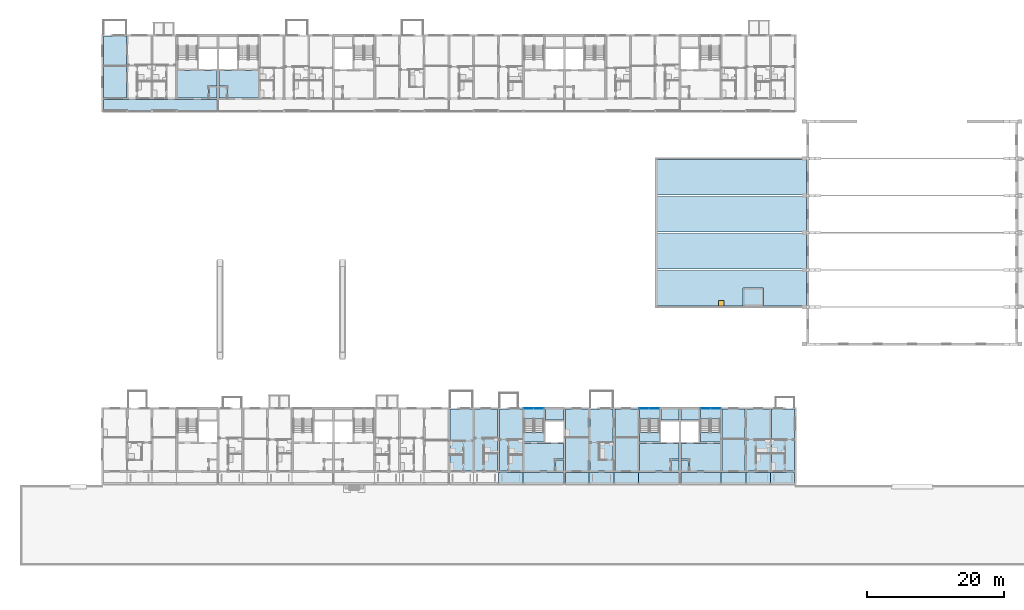
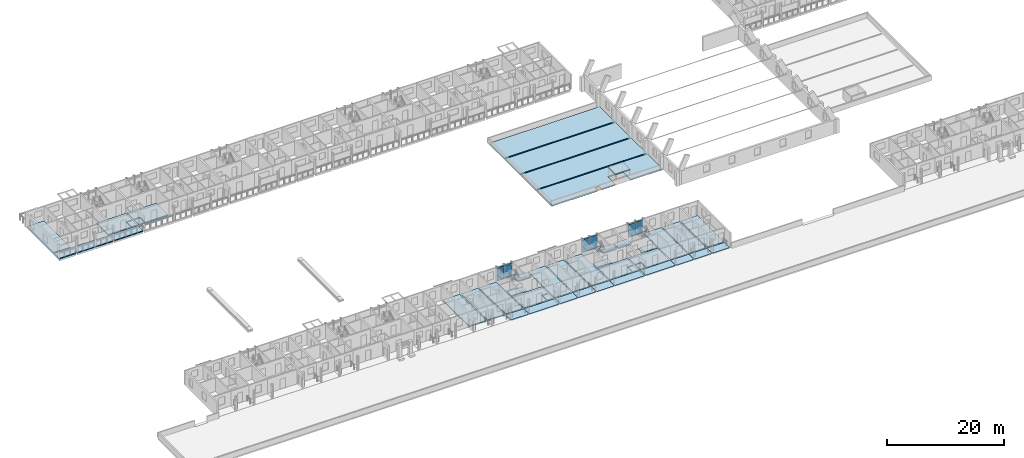
# One storey, part 32 of 115: 45 slabs, 12 plates, 1 door, 1 opening, 6 elements without a shape of their own.
"""IFC4 building model written with IfcOpenShell, lengths in metres."""

from ifc_helpers import new_model, si_unit, direction, frame, origin, origin_2d, place, context, subcontext, project, spatial, polyline, rectangle, outline, extrude, material, layer, layer_set, type_object, element, fill, aggregate, save


model = new_model("IFC4")

# Units and contexts
model_context = context("Model", 3, precision=1e-05, world=origin(), true_north=direction((0.0, 1.0)))
body_context = subcontext(model_context, "Body", "Model", "MODEL_VIEW")
ifc_project = project(units=[si_unit("LENGTHUNIT", "METRE"), si_unit("AREAUNIT", "SQUARE_METRE"), si_unit("VOLUMEUNIT", "CUBIC_METRE"), si_unit("PLANEANGLEUNIT", "RADIAN"), si_unit("MASSUNIT", "GRAM", prefix="KILO")], contexts=[model_context])

# Site, building, storey
site_placement = place(None, origin())
site = spatial("IfcSite", under=ifc_project, at=site_placement, CompositionType="ELEMENT")
building_placement = place(site_placement, origin())
building = spatial("IfcBuilding", under=site, at=building_placement, Name="Ridgestep Commons", CompositionType="ELEMENT")
storey_placement = place(building_placement, frame((0.0, 0.0, 6.0)))
storey = spatial("IfcBuildingStorey", under=building, at=storey_placement, Name="L02", CompositionType="ELEMENT", Elevation=6.0)

# Slab, opening, door
ifc_material_1 = material(Name="Precast concrete C50/60", Category="concrete")
ifc_layer_1 = layer(ifc_material_1, 0.25)
ifc_layer_set_1 = layer_set([ifc_layer_1], Name="Annex roof slab 250")
slab_type_1 = type_object("IfcSlabType", Name="Annex roof slab 250", PredefinedType="ROOF", material=ifc_layer_set_1)
slab_1_placement = place(storey_placement, frame((0.0, 0.0, -0.25)))
slab_1 = element("IfcSlab", 1, at=slab_1_placement, inside=storey, type_object=slab_type_1, Name="Annex roof slab 250", PredefinedType="ROOF", context=body_context, shape_type="SweptSolid", body=[
    extrude(outline(polyline([(92.699951171875, 37.75), (92.699951171875, 42.875), (114.39990234375, 42.875), (114.39990234375, 37.75), (108.14990234375, 37.75), (108.14990234375, 40.35009765625), (105.199951171875, 40.35009765625), (105.199951171875, 37.75), (92.699951171875, 37.75)])), origin(), (0.0, 0.0, 1.0), 0.25),
])
opening_placement = place(slab_1_placement, frame((102.050048828125, 38.14990234375, 0.0)))
opening = element("IfcOpeningElement", 2, at=opening_placement, cuts=slab_1, Name="Opening KRH1", PredefinedType="OPENING", context=body_context, shape_type="SweptSolid", body=[
    extrude(rectangle(XDim=0.800048828125, YDim=0.800048828125, at=origin_2d()), origin(), (0.0, 0.0, 1.0), 0.25),
])
ifc_material_2 = material(Name="Steel", Category="steel")
door_type = type_object("IfcDoorType", Name="Annex roof hatch 800 x 800", OperationType="SINGLE_SWING_LEFT", PredefinedType="TRAPDOOR", material=ifc_material_2)
door_placement = place(opening_placement, frame((0.0, 0.0, 0.199951171875)))
door = element("IfcDoor", 3, at=door_placement, inside=storey, type_object=door_type, Name="Roof access hatch", OperationType="SINGLE_SWING_LEFT", OverallHeight=0.800048828125, OverallWidth=0.800048828125, PredefinedType="TRAPDOOR", context=body_context, shape_type="SweptSolid", body=[
    extrude(rectangle(XDim=0.800048828125, YDim=0.800048828125, at=origin_2d()), origin(), (0.0, 0.0, 1.0), 0.050048828125),
])
fill(opening, door)

# Slabs
slab_2_placement = place(storey_placement, frame((0.0, 0.0, -0.25)))
element("IfcSlab", 4, at=slab_2_placement, inside=storey, type_object=slab_type_1, Name="Annex roof slab 250", PredefinedType="ROOF", context=body_context, shape_type="SweptSolid", body=[
    extrude(outline(polyline([(92.699951171875, 43.125), (114.39990234375, 43.125), (114.39990234375, 48.27490234375), (92.699951171875, 48.27490234375), (92.699951171875, 43.125)])), origin(), (0.0, 0.0, 1.0), 0.25),
])
slab_3_placement = place(storey_placement, frame((0.0, 0.0, -0.25)))
element("IfcSlab", 5, at=slab_3_placement, inside=storey, type_object=slab_type_1, Name="Annex roof slab 250", PredefinedType="ROOF", context=body_context, shape_type="SweptSolid", body=[
    extrude(outline(polyline([(92.699951171875, 48.52490234375), (114.39990234375, 48.52490234375), (114.39990234375, 53.675048828125), (92.699951171875, 53.675048828125), (92.699951171875, 48.52490234375)])), origin(), (0.0, 0.0, 1.0), 0.25),
])
slab_4_placement = place(storey_placement, frame((0.0, 0.0, -0.25)))
element("IfcSlab", 6, at=slab_4_placement, inside=storey, type_object=slab_type_1, Name="Annex roof slab 250", PredefinedType="ROOF", context=body_context, shape_type="SweptSolid", body=[
    extrude(outline(polyline([(92.699951171875, 53.925048828125), (114.39990234375, 53.925048828125), (114.39990234375, 59.050048828125), (92.699951171875, 59.050048828125), (92.699951171875, 53.925048828125)])), origin(), (0.0, 0.0, 1.0), 0.25),
])
ifc_material_3 = material(Name="Concrete C30/37", Category="concrete")
ifc_layer_2 = layer(ifc_material_3, 0.199951171875)
ifc_layer_set_2 = layer_set([ifc_layer_2], Name="Community lift overrun slab 200")
slab_type_2 = type_object("IfcSlabType", Name="Community lift overrun slab 200", PredefinedType="ROOF", material=ifc_layer_set_2)
slab_5_placement = place(storey_placement, frame((0.0, 0.0, 1.89990234375)))
element("IfcSlab", 7, at=slab_5_placement, inside=storey, type_object=slab_type_2, Name="Community lift overrun slab 200", PredefinedType="ROOF", context=body_context, shape_type="SweptSolid", body=[
    extrude(outline(polyline([(105.199951171875, 37.75), (108.14990234375, 37.75), (108.14990234375, 40.35009765625), (105.199951171875, 40.35009765625), (105.199951171875, 37.75)])), origin(), (0.0, 0.0, 1.0), 0.2001953125),
])
ifc_material_4 = material(Name="Precast concrete C40/50", Category="concrete")
ifc_layer_3 = layer(ifc_material_4, 0.199951171875)
ifc_layer_set_3 = layer_set([ifc_layer_3], Name="Gallery slab 200")
slab_type_3 = type_object("IfcSlabType", Name="Gallery slab 200", PredefinedType="FLOOR", material=ifc_layer_set_3)
slab_6_placement = place(storey_placement, frame((0.0, 0.0, -0.199951171875)))
element("IfcSlab", 8, at=slab_6_placement, inside=storey, type_object=slab_type_3, Name="Gallery slab A4 L02", PredefinedType="FLOOR", context=body_context, shape_type="SweptSolid", body=[
    extrude(outline(polyline([(73.199951171875, 13.550048828125), (69.60009765625, 13.550048828125), (69.60009765625, 12.0), (69.72509765625, 12.0), (69.72509765625, 11.75), (73.074951171875, 11.75), (73.074951171875, 12.0), (73.199951171875, 12.0), (73.199951171875, 13.550048828125)])), origin(), (0.0, 0.0, 1.0), 0.199951171875),
])
slab_7_placement = place(storey_placement, frame((0.0, 0.0, -0.199951171875)))
element("IfcSlab", 9, at=slab_7_placement, inside=storey, type_object=slab_type_3, Name="Gallery slab A4 L02", PredefinedType="FLOOR", context=body_context, shape_type="SweptSolid", body=[
    extrude(outline(polyline([(73.199951171875, 13.550048828125), (73.199951171875, 12.0), (73.324951171875, 12.0), (73.324951171875, 11.75), (79.050048828125, 11.75), (79.050048828125, 13.550048828125), (73.199951171875, 13.550048828125)])), origin(), (0.0, 0.0, 1.0), 0.199951171875),
])
slab_8_placement = place(storey_placement, frame((0.0, 0.0, -0.199951171875)))
element("IfcSlab", 10, at=slab_8_placement, inside=storey, type_object=slab_type_3, Name="Gallery slab A5 L02", PredefinedType="FLOOR", context=body_context, shape_type="SweptSolid", body=[
    extrude(outline(polyline([(79.35009765625, 11.75), (82.675048828125, 11.75), (82.675048828125, 12.0), (82.800048828125, 12.0), (82.800048828125, 13.550048828125), (79.35009765625, 13.550048828125), (79.35009765625, 11.75)])), origin(), (0.0, 0.0, 1.0), 0.199951171875),
])
slab_9_placement = place(storey_placement, frame((0.0, 0.0, -0.199951171875)))
element("IfcSlab", 11, at=slab_9_placement, inside=storey, type_object=slab_type_3, Name="Gallery slab A5 L02", PredefinedType="FLOOR", context=body_context, shape_type="SweptSolid", body=[
    extrude(outline(polyline([(86.39990234375, 13.550048828125), (82.800048828125, 13.550048828125), (82.800048828125, 12.0), (82.925048828125, 12.0), (82.925048828125, 11.75), (86.27490234375, 11.75), (86.27490234375, 12.0), (86.39990234375, 12.0), (86.39990234375, 13.550048828125)])), origin(), (0.0, 0.0, 1.0), 0.199951171875),
])
slab_10_placement = place(storey_placement, frame((0.0, 0.0, -0.199951171875)))
element("IfcSlab", 12, at=slab_10_placement, inside=storey, type_object=slab_type_3, Name="Gallery slab A5 L02", PredefinedType="FLOOR", context=body_context, shape_type="SweptSolid", body=[
    extrude(outline(polyline([(90.0, 13.550048828125), (86.39990234375, 13.550048828125), (86.39990234375, 12.0), (86.52490234375, 12.0), (86.52490234375, 11.75), (89.875, 11.75), (89.875, 12.0), (90.0, 12.0), (90.0, 13.550048828125)])), origin(), (0.0, 0.0, 1.0), 0.199951171875),
])
slab_11_placement = place(storey_placement, frame((0.0, 0.0, -0.199951171875)))
element("IfcSlab", 13, at=slab_11_placement, inside=storey, type_object=slab_type_3, Name="Gallery slab A5 L02", PredefinedType="FLOOR", context=body_context, shape_type="SweptSolid", body=[
    extrude(outline(polyline([(90.0, 13.550048828125), (90.0, 12.0), (90.125, 12.0), (90.125, 11.75), (95.85009765625, 11.75), (95.85009765625, 13.550048828125), (90.0, 13.550048828125)])), origin(), (0.0, 0.0, 1.0), 0.199951171875),
])
slab_12_placement = place(storey_placement, frame((0.0, 0.0, -0.199951171875)))
element("IfcSlab", 14, at=slab_12_placement, inside=storey, type_object=slab_type_3, Name="Gallery slab A6 L02", PredefinedType="FLOOR", context=body_context, shape_type="SweptSolid", body=[
    extrude(outline(polyline([(96.14990234375, 11.75), (101.875, 11.75), (101.875, 12.0), (102.0, 12.0), (102.0, 13.550048828125), (96.14990234375, 13.550048828125), (96.14990234375, 11.75)])), origin(), (0.0, 0.0, 1.0), 0.199951171875),
])
slab_13_placement = place(storey_placement, frame((0.0, 0.0, -0.199951171875)))
element("IfcSlab", 15, at=slab_13_placement, inside=storey, type_object=slab_type_3, Name="Gallery slab A6 L02", PredefinedType="FLOOR", context=body_context, shape_type="SweptSolid", body=[
    extrude(outline(polyline([(105.60009765625, 13.550048828125), (102.0, 13.550048828125), (102.0, 12.0), (102.125, 12.0), (102.125, 11.75), (105.47509765625, 11.75), (105.47509765625, 12.0), (105.60009765625, 12.0), (105.60009765625, 13.550048828125)])), origin(), (0.0, 0.0, 1.0), 0.199951171875),
])
slab_14_placement = place(storey_placement, frame((0.0, 0.0, -0.199951171875)))
element("IfcSlab", 16, at=slab_14_placement, inside=storey, type_object=slab_type_3, Name="Gallery slab A6 L02", PredefinedType="FLOOR", context=body_context, shape_type="SweptSolid", body=[
    extrude(outline(polyline([(109.199951171875, 13.550048828125), (105.60009765625, 13.550048828125), (105.60009765625, 12.0), (105.72509765625, 12.0), (105.72509765625, 11.75), (109.074951171875, 11.75), (109.074951171875, 12.0), (109.199951171875, 12.0), (109.199951171875, 13.550048828125)])), origin(), (0.0, 0.0, 1.0), 0.199951171875),
])
slab_15_placement = place(storey_placement, frame((0.0, 0.0, -0.199951171875)))
element("IfcSlab", 17, at=slab_15_placement, inside=storey, type_object=slab_type_3, Name="Gallery slab A6 L02", PredefinedType="FLOOR", context=body_context, shape_type="SweptSolid", body=[
    extrude(outline(polyline([(109.199951171875, 13.550048828125), (109.199951171875, 12.0), (109.324951171875, 12.0), (109.324951171875, 11.75), (112.64990234375, 11.75), (112.64990234375, 13.550048828125), (109.199951171875, 13.550048828125)])), origin(), (0.0, 0.0, 1.0), 0.199951171875),
])
slab_16_placement = place(storey_placement, frame((0.0, 0.0, -0.199951171875)))
element("IfcSlab", 18, at=slab_16_placement, inside=storey, type_object=slab_type_3, Name="Gallery slab B1 L02", PredefinedType="FLOOR", context=body_context, shape_type="SweptSolid", body=[
    extrude(outline(polyline([(28.64990234375, 67.800048828125), (12.14990234375, 67.800048828125), (12.14990234375, 66.0), (15.47509765625, 66.0), (15.47509765625, 66.25), (15.72509765625, 66.25), (15.72509765625, 66.0), (19.074951171875, 66.0), (19.074951171875, 66.25), (19.324951171875, 66.25), (19.324951171875, 66.0), (22.675048828125, 66.0), (22.675048828125, 66.25), (22.925048828125, 66.25), (22.925048828125, 66.0), (28.64990234375, 66.0), (28.64990234375, 67.800048828125)])), origin(), (0.0, 0.0, 1.0), 0.199951171875),
])

# Curtain wall, plates
ifc_material_5 = material(Name="Aluminium 6063-T6 and glass", Category="aluminium")
curtain_wall_type = type_object("IfcCurtainWallType", Name="Curtain wall stair strip", PredefinedType="NOTDEFINED", material=ifc_material_5)
curtain_wall_1_placement = place(storey_placement, origin())
curtain_wall_1 = element("IfcCurtainWall", 19, at=curtain_wall_1_placement, inside=storey, type_object=curtain_wall_type, Name="Curtain wall A4C level 02", PredefinedType="NOTDEFINED")
ifc_material_6 = material(Name="Glass laminated 6/16/6 low-emissivity", Category="glass")
ifc_layer_4 = layer(ifc_material_6, 0.028076171875)
ifc_layer_set_4 = layer_set([ifc_layer_4], Name="Glazing panel 28")
plate_type_1 = type_object("IfcPlateType", Name="Glazing panel 28", PredefinedType="CURTAIN_PANEL", material=ifc_layer_set_4)
plate_1_placement = place(storey_placement, frame((73.97119140625, 22.830078125, 0.06005859375), z_axis=(0.0, 0.0, 1.0), x_axis=(1.0, 0.0, 0.0)))
plate_1 = element("IfcPlate", 20, at=plate_1_placement, type_object=plate_type_1, Name="CW1 panel 1.1", PredefinedType="CURTAIN_PANEL", context=body_context, shape_type="SweptSolid", body=[
    extrude(rectangle(XDim=1.422607421875, YDim=0.028076171875, at=origin_2d()), origin(), (0.0, 0.0, 1.0), 2.5),
])
plate_2_placement = place(storey_placement, frame((75.453857421875, 22.830078125, 0.06005859375), z_axis=(0.0, 0.0, 1.0), x_axis=(1.0, 0.0, 0.0)))
plate_2 = element("IfcPlate", 21, at=plate_2_placement, type_object=plate_type_1, Name="CW1 panel 2.1", PredefinedType="CURTAIN_PANEL", context=body_context, shape_type="SweptSolid", body=[
    extrude(rectangle(XDim=1.422607421875, YDim=0.028076171875, at=origin_2d()), origin(), (0.0, 0.0, 1.0), 2.5),
])

curtain_wall_2_placement = place(storey_placement, origin())
curtain_wall_2 = element("IfcCurtainWall", 22, at=curtain_wall_2_placement, inside=storey, type_object=curtain_wall_type, Name="Curtain wall A5C level 02", PredefinedType="NOTDEFINED")
plate_3_placement = place(storey_placement, frame((90.771240234375, 22.830078125, 0.06005859375), z_axis=(0.0, 0.0, 1.0), x_axis=(1.0, 0.0, 0.0)))
plate_3 = element("IfcPlate", 23, at=plate_3_placement, type_object=plate_type_1, Name="CW1 panel 1.1", PredefinedType="CURTAIN_PANEL", context=body_context, shape_type="SweptSolid", body=[
    extrude(rectangle(XDim=1.422607421875, YDim=0.028076171875, at=origin_2d()), origin(), (0.0, 0.0, 1.0), 2.5),
])
plate_4_placement = place(storey_placement, frame((92.253662109375, 22.830078125, 0.06005859375), z_axis=(0.0, 0.0, 1.0), x_axis=(1.0, 0.0, 0.0)))
plate_4 = element("IfcPlate", 24, at=plate_4_placement, type_object=plate_type_1, Name="CW1 panel 2.1", PredefinedType="CURTAIN_PANEL", context=body_context, shape_type="SweptSolid", body=[
    extrude(rectangle(XDim=1.422607421875, YDim=0.028076171875, at=origin_2d()), origin(), (0.0, 0.0, 1.0), 2.5),
])

curtain_wall_3_placement = place(storey_placement, origin())
curtain_wall_3 = element("IfcCurtainWall", 25, at=curtain_wall_3_placement, inside=storey, type_object=curtain_wall_type, Name="Curtain wall A6C level 02", PredefinedType="NOTDEFINED")
plate_5_placement = place(storey_placement, frame((99.746337890625, 22.830078125, 0.06005859375), z_axis=(0.0, 0.0, 1.0), x_axis=(1.0, 0.0, 0.0)))
plate_5 = element("IfcPlate", 26, at=plate_5_placement, type_object=plate_type_1, Name="CW1 panel 1.1", PredefinedType="CURTAIN_PANEL", context=body_context, shape_type="SweptSolid", body=[
    extrude(rectangle(XDim=1.422607421875, YDim=0.028076171875, at=origin_2d()), origin(), (0.0, 0.0, 1.0), 2.5),
])
plate_6_placement = place(storey_placement, frame((101.228759765625, 22.830078125, 0.06005859375), z_axis=(0.0, 0.0, 1.0), x_axis=(1.0, 0.0, 0.0)))
plate_6 = element("IfcPlate", 27, at=plate_6_placement, type_object=plate_type_1, Name="CW1 panel 2.1", PredefinedType="CURTAIN_PANEL", context=body_context, shape_type="SweptSolid", body=[
    extrude(rectangle(XDim=1.422607421875, YDim=0.028076171875, at=origin_2d()), origin(), (0.0, 0.0, 1.0), 2.5),
])

# Slabs
ifc_material_7 = material(Name="Precast concrete C50/60", Category="concrete")
ifc_layer_5 = layer(ifc_material_7, 0.199951171875)
ifc_layer_set_5 = layer_set([ifc_layer_5], Name="Hollow-core plank 200")
slab_type_4 = type_object("IfcSlabType", Name="Hollow-core plank 200", PredefinedType="FLOOR", material=ifc_layer_set_5)
slab_17_placement = place(storey_placement, frame((0.0, 0.0, -0.199951171875)))
element("IfcSlab", 28, at=slab_17_placement, inside=storey, type_object=slab_type_4, Name="Floor plank A4T1 L02", PredefinedType="FLOOR", context=body_context, shape_type="SweptSolid", body=[
    extrude(outline(polyline([(65.875, 13.75), (65.875, 22.75), (62.550048828125, 22.75), (62.550048828125, 13.75), (65.875, 13.75)])), origin(), (0.0, 0.0, 1.0), 0.199951171875),
])
slab_18_placement = place(storey_placement, frame((0.0, 0.0, -0.199951171875)))
element("IfcSlab", 29, at=slab_18_placement, inside=storey, type_object=slab_type_4, Name="Floor plank A4T2 L02", PredefinedType="FLOOR", context=body_context, shape_type="SweptSolid", body=[
    extrude(outline(polyline([(69.47509765625, 13.75), (69.47509765625, 22.75), (66.125, 22.75), (66.125, 13.75), (69.47509765625, 13.75)])), origin(), (0.0, 0.0, 1.0), 0.199951171875),
])
slab_19_placement = place(storey_placement, frame((0.0, 0.0, -0.199951171875)))
element("IfcSlab", 30, at=slab_19_placement, inside=storey, type_object=slab_type_4, Name="Floor plank A4T3 L02", PredefinedType="FLOOR", context=body_context, shape_type="SweptSolid", body=[
    extrude(outline(polyline([(73.074951171875, 13.75), (73.074951171875, 22.75), (69.72509765625, 22.75), (69.72509765625, 13.75), (73.074951171875, 13.75)])), origin(), (0.0, 0.0, 1.0), 0.199951171875),
])
slab_20_placement = place(storey_placement, frame((0.0, 0.0, -0.199951171875)))
element("IfcSlab", 31, at=slab_20_placement, inside=storey, type_object=slab_type_4, Name="Floor plank A5T1 L02", PredefinedType="FLOOR", context=body_context, shape_type="SweptSolid", body=[
    extrude(outline(polyline([(82.675048828125, 13.75), (82.675048828125, 22.75), (79.35009765625, 22.75), (79.35009765625, 13.75), (82.675048828125, 13.75)])), origin(), (0.0, 0.0, 1.0), 0.199951171875),
])
slab_21_placement = place(storey_placement, frame((0.0, 0.0, -0.199951171875)))
element("IfcSlab", 32, at=slab_21_placement, inside=storey, type_object=slab_type_4, Name="Floor plank A5T2 L02", PredefinedType="FLOOR", context=body_context, shape_type="SweptSolid", body=[
    extrude(outline(polyline([(86.27490234375, 13.75), (86.27490234375, 22.75), (82.925048828125, 22.75), (82.925048828125, 13.75), (86.27490234375, 13.75)])), origin(), (0.0, 0.0, 1.0), 0.199951171875),
])
slab_22_placement = place(storey_placement, frame((0.0, 0.0, -0.199951171875)))
element("IfcSlab", 33, at=slab_22_placement, inside=storey, type_object=slab_type_4, Name="Floor plank A5T3 L02", PredefinedType="FLOOR", context=body_context, shape_type="SweptSolid", body=[
    extrude(outline(polyline([(89.875, 13.75), (89.875, 22.75), (86.52490234375, 22.75), (86.52490234375, 13.75), (89.875, 13.75)])), origin(), (0.0, 0.0, 1.0), 0.199951171875),
])
slab_23_placement = place(storey_placement, frame((0.0, 0.0, -0.199951171875)))
element("IfcSlab", 34, at=slab_23_placement, inside=storey, type_object=slab_type_4, Name="Floor plank A6T3 L02", PredefinedType="FLOOR", context=body_context, shape_type="SweptSolid", body=[
    extrude(outline(polyline([(105.47509765625, 13.75), (105.47509765625, 22.75), (102.125, 22.75), (102.125, 13.75), (105.47509765625, 13.75)])), origin(), (0.0, 0.0, 1.0), 0.199951171875),
])
slab_24_placement = place(storey_placement, frame((0.0, 0.0, -0.199951171875)))
element("IfcSlab", 35, at=slab_24_placement, inside=storey, type_object=slab_type_4, Name="Floor plank A6T2 L02", PredefinedType="FLOOR", context=body_context, shape_type="SweptSolid", body=[
    extrude(outline(polyline([(109.074951171875, 13.75), (109.074951171875, 22.75), (105.72509765625, 22.75), (105.72509765625, 13.75), (109.074951171875, 13.75)])), origin(), (0.0, 0.0, 1.0), 0.199951171875),
])
slab_25_placement = place(storey_placement, frame((0.0, 0.0, -0.199951171875)))
element("IfcSlab", 36, at=slab_25_placement, inside=storey, type_object=slab_type_4, Name="Floor plank A6T1 L02", PredefinedType="FLOOR", context=body_context, shape_type="SweptSolid", body=[
    extrude(outline(polyline([(112.64990234375, 13.75), (112.64990234375, 22.75), (109.324951171875, 22.75), (109.324951171875, 13.75), (112.64990234375, 13.75)])), origin(), (0.0, 0.0, 1.0), 0.199951171875),
])
slab_26_placement = place(storey_placement, frame((0.0, 0.0, -0.199951171875)))
element("IfcSlab", 37, at=slab_26_placement, inside=storey, type_object=slab_type_4, Name="Floor plank B1T1 L02", PredefinedType="FLOOR", context=body_context, shape_type="SweptSolid", body=[
    extrude(outline(polyline([(15.5, 68.0), (15.5, 77.0), (12.14990234375, 77.0), (12.14990234375, 68.0), (15.5, 68.0)])), origin(), (0.0, 0.0, 1.0), 0.199951171875),
])
ifc_material_8 = material(Name="Precast concrete C50/60", Category="concrete")
ifc_layer_6 = layer(ifc_material_8, 0.25)
ifc_layer_set_6 = layer_set([ifc_layer_6], Name="Hollow-core plank 250")
slab_type_5 = type_object("IfcSlabType", Name="Hollow-core plank 250", PredefinedType="FLOOR", material=ifc_layer_set_6)
slab_27_placement = place(storey_placement, frame((0.0, 0.0, -0.25)))
element("IfcSlab", 38, at=slab_27_placement, inside=storey, type_object=slab_type_5, Name="Floor plank A4C L02", PredefinedType="FLOOR", context=body_context, shape_type="SweptSolid", body=[
    extrude(outline(polyline([(77.919921875, 15.469970703125), (79.050048828125, 15.469970703125), (79.050048828125, 17.75), (73.324951171875, 17.75), (73.324951171875, 13.75), (77.800048828125, 13.75), (77.800048828125, 15.469970703125), (77.919921875, 15.469970703125)])), origin(), (0.0, 0.0, 1.0), 0.25),
])
slab_28_placement = place(storey_placement, frame((0.0, 0.0, -0.25)))
element("IfcSlab", 39, at=slab_28_placement, inside=storey, type_object=slab_type_5, Name="Floor plank A4C L02", PredefinedType="FLOOR", context=body_context, shape_type="SweptSolid", body=[
    extrude(outline(polyline([(79.050048828125, 21.14990234375), (79.050048828125, 22.75), (76.425048828125, 22.75), (76.425048828125, 21.14990234375), (79.050048828125, 21.14990234375)])), origin(), (0.0, 0.0, 1.0), 0.25),
])
slab_29_placement = place(storey_placement, frame((0.0, 0.0, -0.25)))
element("IfcSlab", 40, at=slab_29_placement, inside=storey, type_object=slab_type_5, Name="Floor plank A4C L02", PredefinedType="FLOOR", context=body_context, shape_type="SweptSolid", body=[
    extrude(outline(polyline([(76.22509765625, 17.949951171875), (76.22509765625, 19.35009765625), (73.324951171875, 19.35009765625), (73.324951171875, 17.949951171875), (76.22509765625, 17.949951171875)])), origin(), (0.0, 0.0, 1.0), 0.25),
])
slab_30_placement = place(storey_placement, frame((0.0, 0.0, -0.25)))
element("IfcSlab", 41, at=slab_30_placement, inside=storey, type_object=slab_type_5, Name="Floor plank A4C L02", PredefinedType="FLOOR", context=body_context, shape_type="SweptSolid", body=[
    extrude(outline(polyline([(77.919921875, 13.75), (79.050048828125, 13.75), (79.050048828125, 15.35009765625), (77.919921875, 15.35009765625), (77.919921875, 13.75)])), origin(), (0.0, 0.0, 1.0), 0.25),
])
slab_31_placement = place(storey_placement, frame((0.0, 0.0, -0.25)))
element("IfcSlab", 42, at=slab_31_placement, inside=storey, type_object=slab_type_5, Name="Floor plank A5C L02", PredefinedType="FLOOR", context=body_context, shape_type="SweptSolid", body=[
    extrude(outline(polyline([(94.719970703125, 15.469970703125), (95.85009765625, 15.469970703125), (95.85009765625, 17.75), (90.125, 17.75), (90.125, 13.75), (94.60009765625, 13.75), (94.60009765625, 15.469970703125), (94.719970703125, 15.469970703125)])), origin(), (0.0, 0.0, 1.0), 0.25),
])
slab_32_placement = place(storey_placement, frame((0.0, 0.0, -0.25)))
element("IfcSlab", 43, at=slab_32_placement, inside=storey, type_object=slab_type_5, Name="Floor plank A5C L02", PredefinedType="FLOOR", context=body_context, shape_type="SweptSolid", body=[
    extrude(outline(polyline([(95.85009765625, 21.14990234375), (95.85009765625, 22.75), (93.22509765625, 22.75), (93.22509765625, 21.14990234375), (95.85009765625, 21.14990234375)])), origin(), (0.0, 0.0, 1.0), 0.25),
])
slab_33_placement = place(storey_placement, frame((0.0, 0.0, -0.25)))
element("IfcSlab", 44, at=slab_33_placement, inside=storey, type_object=slab_type_5, Name="Floor plank A5C L02", PredefinedType="FLOOR", context=body_context, shape_type="SweptSolid", body=[
    extrude(outline(polyline([(93.02490234375, 17.949951171875), (93.02490234375, 19.35009765625), (90.125, 19.35009765625), (90.125, 17.949951171875), (93.02490234375, 17.949951171875)])), origin(), (0.0, 0.0, 1.0), 0.25),
])
slab_34_placement = place(storey_placement, frame((0.0, 0.0, -0.25)))
element("IfcSlab", 45, at=slab_34_placement, inside=storey, type_object=slab_type_5, Name="Floor plank A5C L02", PredefinedType="FLOOR", context=body_context, shape_type="SweptSolid", body=[
    extrude(outline(polyline([(94.719970703125, 13.75), (95.85009765625, 13.75), (95.85009765625, 15.35009765625), (94.719970703125, 15.35009765625), (94.719970703125, 13.75)])), origin(), (0.0, 0.0, 1.0), 0.25),
])
slab_35_placement = place(storey_placement, frame((0.0, 0.0, -0.25)))
element("IfcSlab", 46, at=slab_35_placement, inside=storey, type_object=slab_type_5, Name="Floor plank A6C L02", PredefinedType="FLOOR", context=body_context, shape_type="SweptSolid", body=[
    extrude(outline(polyline([(97.39990234375, 13.75), (101.875, 13.75), (101.875, 17.75), (96.14990234375, 17.75), (96.14990234375, 15.469970703125), (97.280029296875, 15.469970703125), (97.39990234375, 15.469970703125), (97.39990234375, 13.75)])), origin(), (0.0, 0.0, 1.0), 0.25),
])
slab_36_placement = place(storey_placement, frame((0.0, 0.0, -0.25)))
element("IfcSlab", 47, at=slab_36_placement, inside=storey, type_object=slab_type_5, Name="Floor plank A6C L02", PredefinedType="FLOOR", context=body_context, shape_type="SweptSolid", body=[
    extrude(outline(polyline([(98.77490234375, 22.75), (96.14990234375, 22.75), (96.14990234375, 21.14990234375), (98.77490234375, 21.14990234375), (98.77490234375, 22.75)])), origin(), (0.0, 0.0, 1.0), 0.25),
])
slab_37_placement = place(storey_placement, frame((0.0, 0.0, -0.25)))
element("IfcSlab", 48, at=slab_37_placement, inside=storey, type_object=slab_type_5, Name="Floor plank A6C L02", PredefinedType="FLOOR", context=body_context, shape_type="SweptSolid", body=[
    extrude(outline(polyline([(101.875, 17.949951171875), (101.875, 19.35009765625), (98.97509765625, 19.35009765625), (98.97509765625, 17.949951171875), (101.875, 17.949951171875)])), origin(), (0.0, 0.0, 1.0), 0.25),
])
slab_38_placement = place(storey_placement, frame((0.0, 0.0, -0.25)))
element("IfcSlab", 49, at=slab_38_placement, inside=storey, type_object=slab_type_5, Name="Floor plank A6C L02", PredefinedType="FLOOR", context=body_context, shape_type="SweptSolid", body=[
    extrude(outline(polyline([(97.280029296875, 15.35009765625), (96.14990234375, 15.35009765625), (96.14990234375, 13.75), (97.280029296875, 13.75), (97.280029296875, 15.35009765625)])), origin(), (0.0, 0.0, 1.0), 0.25),
])
slab_39_placement = place(storey_placement, frame((0.0, 0.0, -0.25)))
element("IfcSlab", 50, at=slab_39_placement, inside=storey, type_object=slab_type_5, Name="Floor plank B1C L02", PredefinedType="FLOOR", context=body_context, shape_type="SweptSolid", body=[
    extrude(outline(polyline([(27.52001953125, 69.719970703125), (28.64990234375, 69.719970703125), (28.64990234375, 72.0), (22.925048828125, 72.0), (22.925048828125, 68.0), (27.39990234375, 68.0), (27.39990234375, 69.719970703125), (27.52001953125, 69.719970703125)])), origin(), (0.0, 0.0, 1.0), 0.25),
])
slab_40_placement = place(storey_placement, frame((0.0, 0.0, -0.25)))
element("IfcSlab", 51, at=slab_40_placement, inside=storey, type_object=slab_type_5, Name="Floor plank B1C L02", PredefinedType="FLOOR", context=body_context, shape_type="SweptSolid", body=[
    extrude(outline(polyline([(27.52001953125, 68.0), (28.64990234375, 68.0), (28.64990234375, 69.60009765625), (27.52001953125, 69.60009765625), (27.52001953125, 68.0)])), origin(), (0.0, 0.0, 1.0), 0.25),
])
slab_41_placement = place(storey_placement, frame((0.0, 0.0, -0.25)))
element("IfcSlab", 52, at=slab_41_placement, inside=storey, type_object=slab_type_5, Name="Floor plank B2C L02", PredefinedType="FLOOR", context=body_context, shape_type="SweptSolid", body=[
    extrude(outline(polyline([(30.199951171875, 68.0), (34.675048828125, 68.0), (34.675048828125, 72.0), (28.949951171875, 72.0), (28.949951171875, 69.719970703125), (30.080078125, 69.719970703125), (30.199951171875, 69.719970703125), (30.199951171875, 68.0)])), origin(), (0.0, 0.0, 1.0), 0.25),
])
slab_42_placement = place(storey_placement, frame((0.0, 0.0, -0.25)))
element("IfcSlab", 53, at=slab_42_placement, inside=storey, type_object=slab_type_5, Name="Floor plank B2C L02", PredefinedType="FLOOR", context=body_context, shape_type="SweptSolid", body=[
    extrude(outline(polyline([(30.080078125, 69.60009765625), (28.949951171875, 69.60009765625), (28.949951171875, 68.0), (30.080078125, 68.0), (30.080078125, 69.60009765625)])), origin(), (0.0, 0.0, 1.0), 0.25),
])

# Plate
ifc_material_9 = material(Name="Aluminium 6063-T6 and mineral wool", Category="aluminium")
ifc_layer_7 = layer(ifc_material_9, 0.0400390625)
ifc_layer_set_7 = layer_set([ifc_layer_7], Name="Spandrel panel 40")
plate_type_2 = type_object("IfcPlateType", Name="Spandrel panel 40", PredefinedType="CURTAIN_PANEL", material=ifc_layer_set_7)
plate_7_placement = place(storey_placement, frame((73.97119140625, 22.830078125, 2.6201171875), z_axis=(0.0, 0.0, 1.0), x_axis=(1.0, 0.0, 0.0)))
plate_7 = element("IfcPlate", 54, at=plate_7_placement, type_object=plate_type_2, Name="CW1 panel 1.2", PredefinedType="CURTAIN_PANEL", context=body_context, shape_type="SweptSolid", body=[
    extrude(rectangle(XDim=1.422607421875, YDim=0.0400390625, at=origin_2d()), origin(), (0.0, 0.0, 1.0), 0.320068359375),
])

plate_8_placement = place(storey_placement, frame((75.453857421875, 22.830078125, 2.6201171875), z_axis=(0.0, 0.0, 1.0), x_axis=(1.0, 0.0, 0.0)))
plate_8 = element("IfcPlate", 55, at=plate_8_placement, type_object=plate_type_2, Name="CW1 panel 2.2", PredefinedType="CURTAIN_PANEL", context=body_context, shape_type="SweptSolid", body=[
    extrude(rectangle(XDim=1.422607421875, YDim=0.0400390625, at=origin_2d()), origin(), (0.0, 0.0, 1.0), 0.320068359375),
])

aggregate(curtain_wall_1, [plate_1, plate_7, plate_2, plate_8])

plate_9_placement = place(storey_placement, frame((90.771240234375, 22.830078125, 2.6201171875), z_axis=(0.0, 0.0, 1.0), x_axis=(1.0, 0.0, 0.0)))
plate_9 = element("IfcPlate", 56, at=plate_9_placement, type_object=plate_type_2, Name="CW1 panel 1.2", PredefinedType="CURTAIN_PANEL", context=body_context, shape_type="SweptSolid", body=[
    extrude(rectangle(XDim=1.422607421875, YDim=0.0400390625, at=origin_2d()), origin(), (0.0, 0.0, 1.0), 0.320068359375),
])

plate_10_placement = place(storey_placement, frame((92.253662109375, 22.830078125, 2.6201171875), z_axis=(0.0, 0.0, 1.0), x_axis=(1.0, 0.0, 0.0)))
plate_10 = element("IfcPlate", 57, at=plate_10_placement, type_object=plate_type_2, Name="CW1 panel 2.2", PredefinedType="CURTAIN_PANEL", context=body_context, shape_type="SweptSolid", body=[
    extrude(rectangle(XDim=1.422607421875, YDim=0.0400390625, at=origin_2d()), origin(), (0.0, 0.0, 1.0), 0.320068359375),
])

aggregate(curtain_wall_2, [plate_3, plate_9, plate_4, plate_10])

plate_11_placement = place(storey_placement, frame((99.746337890625, 22.830078125, 2.6201171875), z_axis=(0.0, 0.0, 1.0), x_axis=(1.0, 0.0, 0.0)))
plate_11 = element("IfcPlate", 58, at=plate_11_placement, type_object=plate_type_2, Name="CW1 panel 1.2", PredefinedType="CURTAIN_PANEL", context=body_context, shape_type="SweptSolid", body=[
    extrude(rectangle(XDim=1.422607421875, YDim=0.0400390625, at=origin_2d()), origin(), (0.0, 0.0, 1.0), 0.320068359375),
])

plate_12_placement = place(storey_placement, frame((101.228759765625, 22.830078125, 2.6201171875), z_axis=(0.0, 0.0, 1.0), x_axis=(1.0, 0.0, 0.0)))
plate_12 = element("IfcPlate", 59, at=plate_12_placement, type_object=plate_type_2, Name="CW1 panel 2.2", PredefinedType="CURTAIN_PANEL", context=body_context, shape_type="SweptSolid", body=[
    extrude(rectangle(XDim=1.422607421875, YDim=0.0400390625, at=origin_2d()), origin(), (0.0, 0.0, 1.0), 0.320068359375),
])

aggregate(curtain_wall_3, [plate_5, plate_11, plate_6, plate_12])

# Stair, slab
ifc_material_10 = material(Name="Precast concrete C40/50", Category="concrete")
stair_type = type_object("IfcStairType", Name="Escape stair 1400", PredefinedType="HALF_TURN_STAIR", material=ifc_material_10)
stair_1_placement = place(storey_placement, origin())
stair_1 = element("IfcStair", 60, at=stair_1_placement, inside=storey, type_object=stair_type, Name="L02 Escape stair A4C", PredefinedType="HALF_TURN_STAIR")
ifc_material_11 = material(Name="Precast concrete C40/50", Category="concrete")
ifc_layer_8 = layer(ifc_material_11, 0.199951171875)
ifc_layer_set_8 = layer_set([ifc_layer_8], Name="Stair landing 200")
slab_type_6 = type_object("IfcSlabType", Name="Stair landing 200", PredefinedType="LANDING", material=ifc_layer_set_8)
slab_43_placement = place(storey_placement, frame((0.0, 0.0, 1.300048828125)))
slab_43 = element("IfcSlab", 61, at=slab_43_placement, type_object=slab_type_6, Name="A4C landing 1", PredefinedType="LANDING", context=body_context, shape_type="SweptSolid", body=[
    extrude(outline(polyline([(76.22509765625, 21.31005859375), (76.22509765625, 22.75), (73.324951171875, 22.75), (73.324951171875, 21.31005859375), (76.22509765625, 21.31005859375)])), origin(), (0.0, 0.0, 1.0), 0.199951171875),
])
aggregate(stair_1, [slab_43])

stair_2_placement = place(storey_placement, origin())
stair_2 = element("IfcStair", 62, at=stair_2_placement, inside=storey, type_object=stair_type, Name="L02 Escape stair A5C", PredefinedType="HALF_TURN_STAIR")
slab_44_placement = place(storey_placement, frame((0.0, 0.0, 1.300048828125)))
slab_44 = element("IfcSlab", 63, at=slab_44_placement, type_object=slab_type_6, Name="A5C landing 1", PredefinedType="LANDING", context=body_context, shape_type="SweptSolid", body=[
    extrude(outline(polyline([(93.02490234375, 21.31005859375), (93.02490234375, 22.75), (90.125, 22.75), (90.125, 21.31005859375), (93.02490234375, 21.31005859375)])), origin(), (0.0, 0.0, 1.0), 0.199951171875),
])
aggregate(stair_2, [slab_44])

stair_3_placement = place(storey_placement, origin())
stair_3 = element("IfcStair", 64, at=stair_3_placement, inside=storey, type_object=stair_type, Name="L02 Escape stair A6C", PredefinedType="HALF_TURN_STAIR")
slab_45_placement = place(storey_placement, frame((0.0, 0.0, 1.300048828125)))
slab_45 = element("IfcSlab", 65, at=slab_45_placement, type_object=slab_type_6, Name="A6C landing 1", PredefinedType="LANDING", context=body_context, shape_type="SweptSolid", body=[
    extrude(outline(polyline([(101.875, 21.31005859375), (101.875, 22.75), (98.97509765625, 22.75), (98.97509765625, 21.31005859375), (101.875, 21.31005859375)])), origin(), (0.0, 0.0, 1.0), 0.199951171875),
])
aggregate(stair_3, [slab_45])

save(model, "model.ifc")
